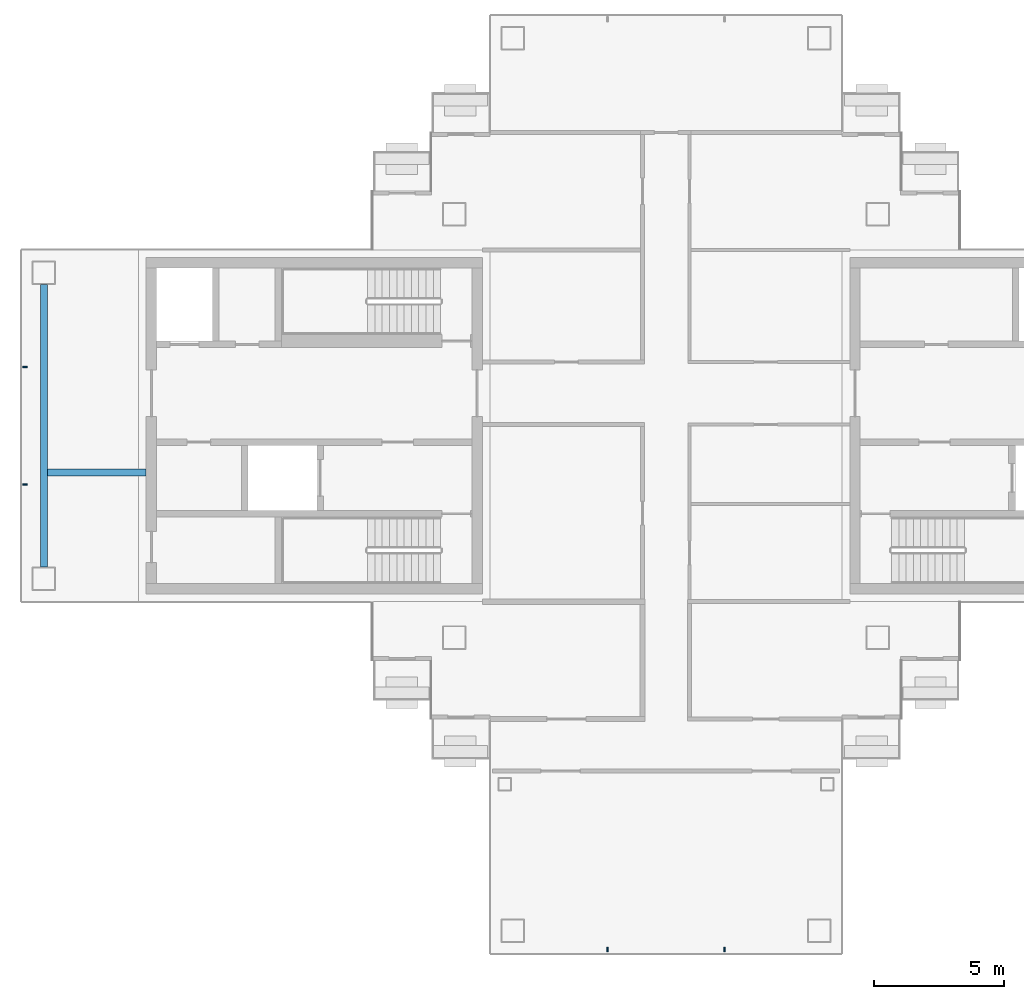
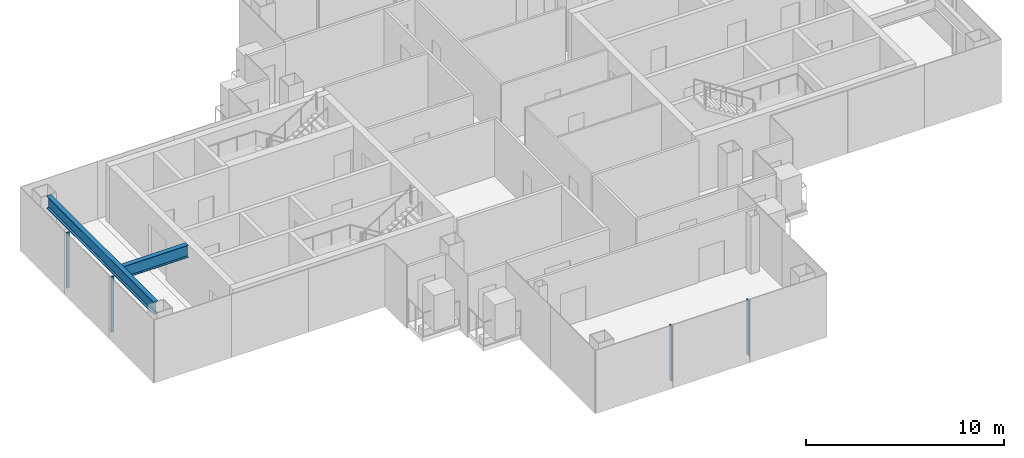
# One storey, part 3 of 16: 4 members, 2 beams, 2 elements without a shape of their own.
"""IFC4 building model written with IfcOpenShell, lengths in metres."""

from ifc_helpers import new_model, si_unit, direction, frame, origin, origin_2d, place, context, subcontext, project, spatial, rectangle, i_section, extrude, material, layer, layer_set, material_profile, profile_set, type_object, element, aggregate, save


model = new_model("IFC4")

# Units and contexts
model_context = context("Model", 3, precision=1e-05, world=origin(), true_north=direction((0.0, 1.0)))
body_context = subcontext(model_context, "Body", "Model", "MODEL_VIEW")
ifc_project = project(units=[si_unit("LENGTHUNIT", "METRE"), si_unit("AREAUNIT", "SQUARE_METRE"), si_unit("VOLUMEUNIT", "CUBIC_METRE"), si_unit("PLANEANGLEUNIT", "RADIAN"), si_unit("MASSUNIT", "GRAM", prefix="KILO")], contexts=[model_context])

# Site, building, storey
site_placement = place(None, origin())
site = spatial("IfcSite", under=ifc_project, at=site_placement, CompositionType="ELEMENT")
building_placement = place(site_placement, origin())
building = spatial("IfcBuilding", under=site, at=building_placement, Name="Shamsa Quay Exchange Towers", CompositionType="ELEMENT")
storey_placement = place(building_placement, frame((0.0, 0.0, 261.60009765625)))
storey = spatial("IfcBuildingStorey", under=building, at=storey_placement, Name="L63", CompositionType="ELEMENT", Elevation=261.60009765625)

# Curtain wall, members
ifc_material_1 = material(Name="Aluminium EN AW-6063 T6, black anodised", Category="aluminium")
ifc_layer = layer(ifc_material_1, 0.280029296875)
ifc_layer_set = layer_set([ifc_layer], Name="CW-1 UNITISED VISION GLASS")
curtain_wall_type = type_object("IfcCurtainWallType", Name="CW-1 UNITISED VISION GLASS", PredefinedType="NOTDEFINED", material=ifc_layer_set)
curtain_wall_1_placement = place(storey_placement, origin())
curtain_wall_1 = element("IfcCurtainWall", 1, at=curtain_wall_1_placement, inside=storey, type_object=curtain_wall_type, Name="CW1 T1-END-V- L63", PredefinedType="NOTDEFINED")
ifc_material_profile_1 = material_profile(ifc_material_1, rectangle(XDim=0.179931640625, YDim=0.06005859375, at=origin_2d()), Name="MU60x180")
ifc_profile_set_1 = profile_set([ifc_material_profile_1], Name="Aluminium EN AW-6063 T6, black anodised")
member_type = type_object("IfcMemberType", Name="CW1 MULLION 60x180", PredefinedType="MULLION", material=ifc_profile_set_1)
member_1_placement = place(storey_placement, frame((-36.0, -20.10009765625, 0.0), z_axis=(0.0, 0.0, 1.0), x_axis=(0.0, 1.0, 0.0)))
member_1 = element("IfcMember", 2, at=member_1_placement, type_object=member_type, Name="CW1 mullion", PredefinedType="MULLION", context=body_context, shape_type="SweptSolid", body=[
    extrude(rectangle(XDim=0.179931640625, YDim=0.06005859375, at=origin_2d()), origin(), (0.0, 0.0, 1.0), 3.449951171875),
])
member_2_placement = place(storey_placement, frame((-31.5, -20.10009765625, 0.0), z_axis=(0.0, 0.0, 1.0), x_axis=(0.0, 1.0, 0.0)))
member_2 = element("IfcMember", 3, at=member_2_placement, type_object=member_type, Name="CW1 mullion", PredefinedType="MULLION", context=body_context, shape_type="SweptSolid", body=[
    extrude(rectangle(XDim=0.179931640625, YDim=0.06005859375, at=origin_2d()), origin(), (0.0, 0.0, 1.0), 3.449951171875),
])
aggregate(curtain_wall_1, [member_1, member_2])

curtain_wall_2_placement = place(storey_placement, origin())
curtain_wall_2 = element("IfcCurtainWall", 4, at=curtain_wall_2_placement, inside=storey, type_object=curtain_wall_type, Name="CW1 T1-END-U- L63", PredefinedType="NOTDEFINED")
member_3_placement = place(storey_placement, frame((-58.35009765625, 2.25, 0.0)))
member_3 = element("IfcMember", 5, at=member_3_placement, type_object=member_type, Name="CW1 mullion", PredefinedType="MULLION", context=body_context, shape_type="SweptSolid", body=[
    extrude(rectangle(XDim=0.179931640625, YDim=0.06005859375, at=origin_2d()), origin(), (0.0, 0.0, 1.0), 3.449951171875),
])
member_4_placement = place(storey_placement, frame((-58.35009765625, -2.25, 0.0)))
member_4 = element("IfcMember", 6, at=member_4_placement, type_object=member_type, Name="CW1 mullion", PredefinedType="MULLION", context=body_context, shape_type="SweptSolid", body=[
    extrude(rectangle(XDim=0.179931640625, YDim=0.06005859375, at=origin_2d()), origin(), (0.0, 0.0, 1.0), 3.449951171875),
])
aggregate(curtain_wall_2, [member_3, member_4])

# Beams
ifc_material_2 = material(Name="Steel S355", Category="steel")
ifc_material_profile_2 = material_profile(ifc_material_2, i_section(OverallWidth=0.26611328125, OverallDepth=0.7578125, WebThickness=0.013916015625, FlangeThickness=0.019287109375, at=origin_2d()), Name="W30x108")
ifc_profile_set_2 = profile_set([ifc_material_profile_2], Name="Steel S355")
beam_type = type_object("IfcBeamType", Name="End-zone beam W30x108", PredefinedType="BEAM", material=ifc_profile_set_2)
beam_1_placement = place(storey_placement, frame((-57.625, -5.425048828125, 3.171142578125), z_axis=(0.0, 1.0, 0.0), x_axis=(-1.0, 0.0, 0.0)))
element("IfcBeam", 7, at=beam_1_placement, inside=storey, type_object=beam_type, Name="End beam T1 U- end zone L63", PredefinedType="BEAM", context=body_context, shape_type="SweptSolid", body=[
    extrude(i_section(OverallWidth=0.26611328125, OverallDepth=0.7578125, WebThickness=0.013916015625, FlangeThickness=0.019287109375, at=origin_2d()), origin(), (0.0, 0.0, 1.0), 10.85009765625),
])
beam_2_placement = place(storey_placement, frame((-53.699951171875, -1.800048828125, 3.171142578125), z_axis=(-1.0, 0.0, 0.0), x_axis=(0.0, -1.0, 0.0)))
element("IfcBeam", 8, at=beam_2_placement, inside=storey, type_object=beam_type, Name="Spine beam T1 U- end zone L63", PredefinedType="BEAM", context=body_context, shape_type="SweptSolid", body=[
    extrude(i_section(OverallWidth=0.26611328125, OverallDepth=0.7578125, WebThickness=0.013916015625, FlangeThickness=0.019287109375, at=origin_2d()), origin(), (0.0, 0.0, 1.0), 3.7919921875),
])

save(model, "model.ifc")
